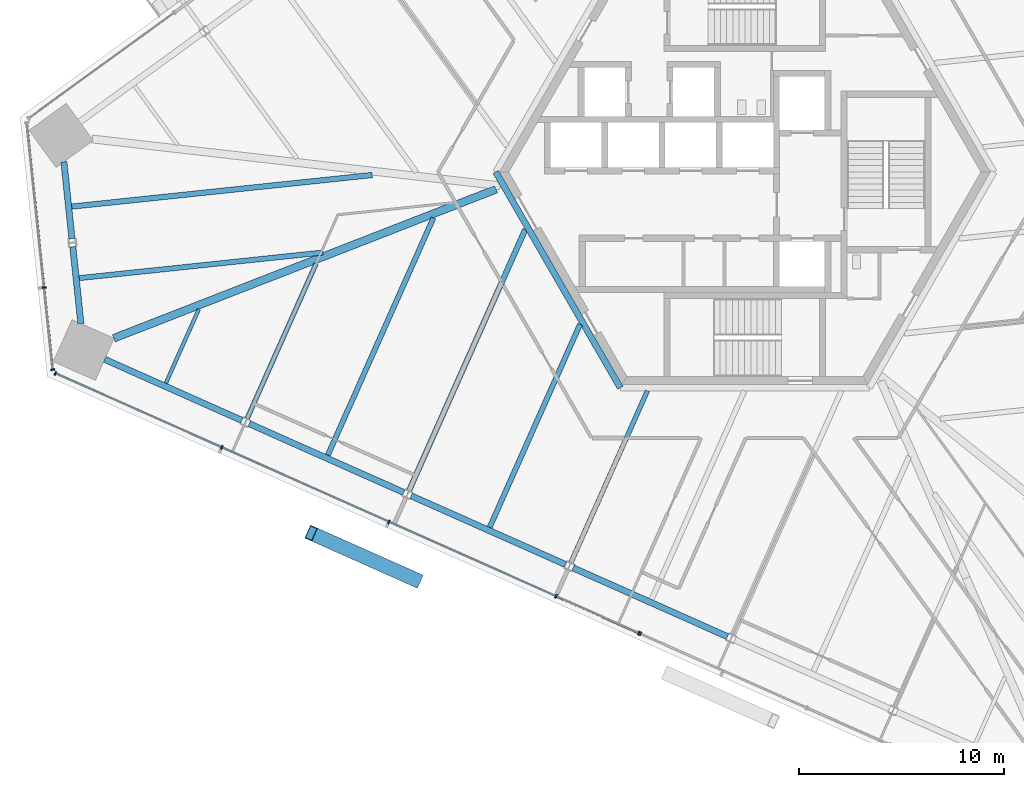
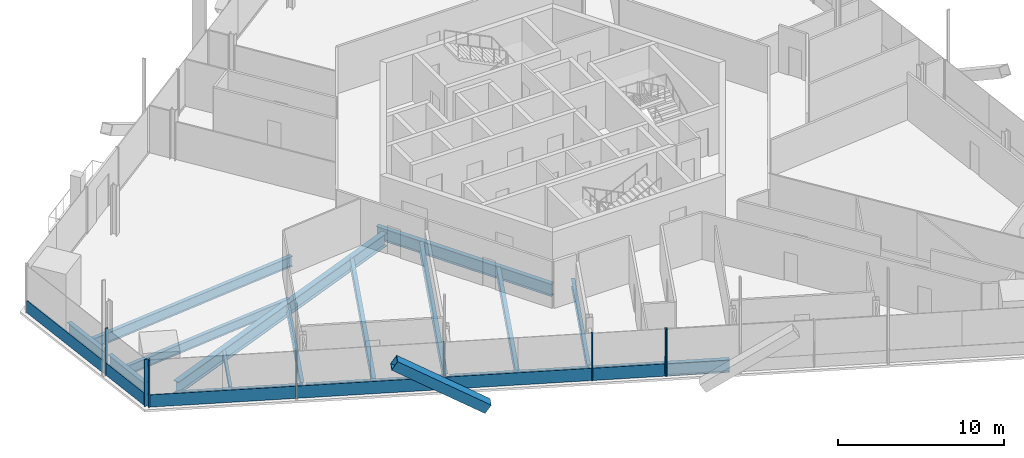
# One storey, part 3 of 21: 16 beams, 15 members, 3 elements without a shape of their own.
"""IFC4 building model written with IfcOpenShell, lengths in metres."""

from ifc_helpers import new_model, si_unit, direction, frame, origin, origin_2d, place, context, subcontext, project, spatial, rectangle, hollow_rectangle, i_section, extrude, source, transform, mapped, material, material_profile, profile_set, type_object, element, aggregate, save


model = new_model("IFC4")

# Units and contexts
model_context = context("Model", 3, precision=1e-05, world=origin(), true_north=direction((0.0, 1.0)))
body_context = subcontext(model_context, "Body", "Model", "MODEL_VIEW")
ifc_project = project(units=[si_unit("LENGTHUNIT", "METRE"), si_unit("AREAUNIT", "SQUARE_METRE"), si_unit("VOLUMEUNIT", "CUBIC_METRE"), si_unit("PLANEANGLEUNIT", "RADIAN"), si_unit("MASSUNIT", "GRAM", prefix="KILO")], contexts=[model_context])

# Site, building, storey
site_placement = place(None, origin())
site = spatial("IfcSite", under=ifc_project, at=site_placement, CompositionType="ELEMENT")
building_placement = place(site_placement, origin())
building = spatial("IfcBuilding", under=site, at=building_placement, Name="Triune Harvest Tower", CompositionType="ELEMENT")
storey_placement = place(building_placement, frame((0.0, 0.0, 80.10009765625)))
storey = spatial("IfcBuildingStorey", under=building, at=storey_placement, Name="L19", CompositionType="ELEMENT", Elevation=80.10009765625)

# Curtain wall, member
ifc_material_1 = material(Name="Aluminium bronze anodised", Category="aluminium")
curtain_wall_type_1 = type_object("IfcCurtainWallType", Name="CW-1 Tower stick curtain wall", PredefinedType="NOTDEFINED", material=ifc_material_1)
curtain_wall_1_placement = place(storey_placement, origin())
curtain_wall_1 = element("IfcCurtainWall", 1, at=curtain_wall_1_placement, inside=storey, type_object=curtain_wall_type_1, Name="CW-1 B2-F5 L19 run 1")
ifc_material_2 = material(Name="Aluminium bronze anodised", Category="aluminium")
ifc_material_profile_1 = material_profile(ifc_material_2, rectangle(XDim=0.090087890625, YDim=0.89990234375, at=origin_2d()), Name="TR-1 transom 90 x 900")
ifc_profile_set_1 = profile_set([ifc_material_profile_1], Name="Aluminium bronze anodised")
member_type_1 = type_object("IfcMemberType", Name="TR-1 transom 90 x 900", PredefinedType="USERDEFINED", material=ifc_profile_set_1)
member_1_placement = place(storey_placement, frame((-17.365966796875, -17.114013671875, 0.449951171875), z_axis=(0.913549060032, -0.40672855188, 0.0), x_axis=(0.40672855188, 0.913549060032, 0.0)))
member_1 = element("IfcMember", 2, at=member_1_placement, type_object=member_type_1, Name="CW-1 transom B2-F5 1.3", ObjectType="TRANSOM", PredefinedType="USERDEFINED", context=body_context, shape_type="SweptSolid", body=[
    extrude(rectangle(XDim=0.090087890625, YDim=0.89990234375, at=origin_2d()), origin(), (0.0, 0.0, 1.0), 8.866455078125),
])

# Beams
ifc_material_3 = material(Name="Steel ASTM A992 Gr 50", Category="steel")
ifc_material_profile_2 = material_profile(ifc_material_3, i_section(OverallWidth=0.3046875, OverallDepth=0.914306640625, WebThickness=0.0166015625, FlangeThickness=0.02587890625, at=origin_2d()), Name="W36x160")
ifc_profile_set_2 = profile_set([ifc_material_profile_2], Name="Steel ASTM A992 Gr 50")
beam_type_1 = type_object("IfcBeamType", Name="CG-1 Core ring girder W36x160", PredefinedType="BEAM", material=ifc_profile_set_2)
shared_shape_1 = source(origin(), body_context, "Body", "SweptSolid", [
    extrude(i_section(OverallWidth=0.3046875, OverallDepth=0.914306640625, WebThickness=0.0166015625, FlangeThickness=0.02587890625, at=origin_2d()), origin(), (0.0, 0.0, 1.0), 12.176025390625),
])
beam_1_placement = place(storey_placement, frame((-12.176025390625, 0.0, -0.6171875), z_axis=(0.5000099932, -0.866019634131, 0.0), x_axis=(0.866019634131, 0.5000099932, 0.0)))
element("IfcBeam", 3, at=beam_1_placement, inside=storey, type_object=beam_type_1, Name="beam/L19/CG4", PredefinedType="BEAM", context=body_context, shape_type="MappedRepresentation", body=[
    mapped(shared_shape_1, transform((0.0, 0.0, 0.0), scale=1.0)),
])
ifc_material_4 = material(Name="Steel ASTM A992 Gr 50", Category="steel")
ifc_material_profile_3 = material_profile(ifc_material_4, i_section(OverallWidth=0.3046875, OverallDepth=0.914306640625, WebThickness=0.0166015625, FlangeThickness=0.02587890625, at=origin_2d()), Name="W36x160")
ifc_profile_set_3 = profile_set([ifc_material_profile_3], Name="Steel ASTM A992 Gr 50")
beam_type_2 = type_object("IfcBeamType", Name="SB-1 Spandrel beam W36x160", PredefinedType="SPANDREL", material=ifc_profile_set_3)
shared_shape_2 = source(origin(), body_context, "Body", "SweptSolid", [
    extrude(i_section(OverallWidth=0.3046875, OverallDepth=0.914306640625, WebThickness=0.0166015625, FlangeThickness=0.02587890625, at=origin_2d()), origin(), (0.0, 0.0, 1.0), 7.337890625),
])
beam_2_placement = place(storey_placement, frame((-31.29150390625, -9.156982421875, -0.6171875), z_axis=(0.913558923036, -0.40670639796, 0.0), x_axis=(0.40670639796, 0.913558923036, 0.0)))
element("IfcBeam", 4, at=beam_2_placement, inside=storey, type_object=beam_type_2, Name="beam/L19/SB17", PredefinedType="SPANDREL", context=body_context, shape_type="MappedRepresentation", body=[
    mapped(shared_shape_2, transform((0.0, 0.0, 0.0), scale=1.0)),
])
shared_shape_3 = source(origin(), body_context, "Body", "SweptSolid", [
    extrude(i_section(OverallWidth=0.3046875, OverallDepth=0.914306640625, WebThickness=0.0166015625, FlangeThickness=0.02587890625, at=origin_2d()), origin(), (0.0, 0.0, 1.0), 8.263427734375),
])
for number, where, z_axis, x_axis, name in (
    (5, (-24.2236328125, -12.3037109375, -0.6171875), (0.913544537455, -0.406738709846, 0.0), (0.406738709846, 0.913544537455, 0.0), "beam/L19/SB18"),
    (6, (-16.310302734375, -15.826904296875, -0.6171875), (0.913544537455, -0.406738709846, 0.0), (0.406738709846, 0.913544537455, 0.0), "beam/L19/SB19"),
    (7, (-8.39697265625, -19.35009765625, -0.6171875), (0.913544537455, -0.406738709846, 0.0), (0.406738709846, 0.913544537455, 0.0), "beam/L19/SB20"),
):
    element("IfcBeam", number, at=place(storey_placement, frame(where, z_axis=z_axis, x_axis=x_axis)), inside=storey, type_object=beam_type_2, Name=name, PredefinedType="SPANDREL", context=body_context, shape_type="MappedRepresentation", body=[
        mapped(shared_shape_3, transform((0.0, 0.0, 0.0), scale=1.0)),
    ])
shared_shape_4 = source(origin(), body_context, "Body", "SweptSolid", [
    extrude(i_section(OverallWidth=0.3046875, OverallDepth=0.914306640625, WebThickness=0.0166015625, FlangeThickness=0.02587890625, at=origin_2d()), origin(), (0.0, 0.0, 1.0), 3.775146484375),
])
for number, where, z_axis, x_axis, name in (
    (8, (-33.28564453125, 0.497802734375, -0.6171875), (0.104509725916, -0.994523864565, 0.0), (0.994523864565, 0.104509725916, 0.0), "beam/L19/SB15"),
    (9, (-32.849609375, -3.653076171875, -0.6171875), (0.104573690763, -0.994517140727, 0.0), (0.994517140727, 0.104573690763, 0.0), "beam/L19/SB16"),
):
    element("IfcBeam", number, at=place(storey_placement, frame(where, z_axis=z_axis, x_axis=x_axis)), inside=storey, type_object=beam_type_2, Name=name, PredefinedType="SPANDREL", context=body_context, shape_type="MappedRepresentation", body=[
        mapped(shared_shape_4, transform((0.0, 0.0, 0.0), scale=1.0)),
    ])
ifc_material_5 = material(Name="Steel ASTM A992 Gr 50", Category="steel")
ifc_material_profile_4 = material_profile(ifc_material_5, i_section(OverallWidth=0.383544921875, OverallDepth=0.9423828125, WebThickness=0.022216796875, FlangeThickness=0.039794921875, at=origin_2d()), Name="W36x232")
ifc_profile_set_4 = profile_set([ifc_material_profile_4], Name="Steel ASTM A992 Gr 50")
beam_type_3 = type_object("IfcBeamType", Name="HG-1 Hip girder W36x232", PredefinedType="BEAM", material=ifc_profile_set_4)
shared_shape_5 = source(origin(), body_context, "Body", "SweptSolid", [
    extrude(i_section(OverallWidth=0.383544921875, OverallDepth=0.9423828125, WebThickness=0.022216796875, FlangeThickness=0.039794921875, at=origin_2d()), origin(), (0.0, 0.0, 1.0), 20.054443359375),
])
beam_3_placement = place(storey_placement, frame((-30.84423828125, -8.12451171875, -0.63134765625), z_axis=(0.931737115777, 0.363133511374, 0.0), x_axis=(-0.363133511374, 0.931737115777, 0.0)))
element("IfcBeam", 10, at=beam_3_placement, inside=storey, type_object=beam_type_3, Name="beam/L19/HG6", PredefinedType="BEAM", context=body_context, shape_type="MappedRepresentation", body=[
    mapped(shared_shape_5, transform((0.0, 0.0, 0.0), scale=1.0)),
])
ifc_material_6 = material(Name="Steel ASTM A992 Gr 50", Category="steel")
ifc_material_profile_5 = material_profile(ifc_material_6, i_section(OverallWidth=0.180908203125, OverallDepth=0.41650390625, WebThickness=0.010986328125, FlangeThickness=0.01806640625, at=origin_2d()), Name="W16x57")
ifc_profile_set_5 = profile_set([ifc_material_profile_5], Name="Steel ASTM A992 Gr 50")
beam_type_4 = type_object("IfcBeamType", Name="JT-1 Floor joist W16x57", PredefinedType="JOIST", material=ifc_profile_set_5)
shared_shape_6 = source(origin(), body_context, "Body", "SweptSolid", [
    extrude(i_section(OverallWidth=0.180908203125, OverallDepth=0.41650390625, WebThickness=0.010986328125, FlangeThickness=0.01806640625, at=origin_2d()), origin(), (0.0, 0.0, 1.0), 3.95068359375),
])
beam_4_placement = place(storey_placement, frame((-28.300537109375, -10.32177734375, -0.368408203125), z_axis=(0.406746150359, 0.913541224668, 0.0), x_axis=(-0.913541224668, 0.406746150359, 0.0)))
element("IfcBeam", 11, at=beam_4_placement, inside=storey, type_object=beam_type_4, Name="beam/L19/JT27", PredefinedType="JOIST", context=body_context, shape_type="MappedRepresentation", body=[
    mapped(shared_shape_6, transform((0.0, 0.0, 0.0), scale=1.0)),
])
ifc_material_7 = material(Name="Steel ASTM A992 Gr 50", Category="steel")
ifc_material_profile_6 = material_profile(ifc_material_7, i_section(OverallWidth=0.22900390625, OverallDepth=0.612060546875, WebThickness=0.011962890625, FlangeThickness=0.01953125, at=origin_2d()), Name="W24x84")
ifc_profile_set_6 = profile_set([ifc_material_profile_6], Name="Steel ASTM A992 Gr 50")
beam_type_5 = type_object("IfcBeamType", Name="JT-3 Floor joist W24x84", PredefinedType="JOIST", material=ifc_profile_set_6)
shared_shape_7 = source(origin(), body_context, "Body", "SweptSolid", [
    extrude(i_section(OverallWidth=0.22900390625, OverallDepth=0.612060546875, WebThickness=0.011962890625, FlangeThickness=0.01953125, at=origin_2d()), origin(), (0.0, 0.0, 1.0), 8.28173828125),
])
beam_5_placement = place(storey_placement, frame((-24.32568359375, -12.042724609375, -0.46630859375), z_axis=(0.406731926006, 0.913547557803, 0.0), x_axis=(-0.913547557803, 0.406731926006, 0.0)))
element("IfcBeam", 12, at=beam_5_placement, inside=storey, type_object=beam_type_5, Name="beam/L19/JT28", PredefinedType="JOIST", context=body_context, shape_type="MappedRepresentation", body=[
    mapped(shared_shape_7, transform((0.0, 0.0, 0.0), scale=1.0)),
])
ifc_material_8 = material(Name="Steel ASTM A992 Gr 50", Category="steel")
ifc_material_profile_7 = material_profile(ifc_material_8, i_section(OverallWidth=0.253662109375, OverallDepth=0.683349609375, WebThickness=0.012451171875, FlangeThickness=0.01904296875, at=origin_2d()), Name="W27x94")
ifc_profile_set_7 = profile_set([ifc_material_profile_7], Name="Steel ASTM A992 Gr 50")
beam_type_6 = type_object("IfcBeamType", Name="JT-4 Floor joist W27x94", PredefinedType="JOIST", material=ifc_profile_set_7)
shared_shape_8 = source(origin(), body_context, "Body", "SweptSolid", [
    extrude(i_section(OverallWidth=0.253662109375, OverallDepth=0.683349609375, WebThickness=0.012451171875, FlangeThickness=0.01904296875, at=origin_2d()), origin(), (0.0, 0.0, 1.0), 10.864501953125),
])
beam_6_placement = place(storey_placement, frame((-12.473876953125, -17.3681640625, -0.501708984375), z_axis=(0.406757614722, 0.913536120176, 0.0), x_axis=(-0.913536120176, 0.406757614722, 0.0)))
element("IfcBeam", 13, at=beam_6_placement, inside=storey, type_object=beam_type_6, Name="beam/L19/JT31", PredefinedType="JOIST", context=body_context, shape_type="MappedRepresentation", body=[
    mapped(shared_shape_8, transform((0.0, 0.0, 0.0), scale=1.0)),
])
shared_shape_9 = source(origin(), body_context, "Body", "SweptSolid", [
    extrude(i_section(OverallWidth=0.253662109375, OverallDepth=0.683349609375, WebThickness=0.012451171875, FlangeThickness=0.01904296875, at=origin_2d()), origin(), (0.0, 0.0, 1.0), 12.701904296875),
])
beam_7_placement = place(storey_placement, frame((-20.38720703125, -13.844970703125, -0.501708984375), z_axis=(0.406748285801, 0.913540273879, 0.0), x_axis=(-0.913540273879, 0.406748285801, 0.0)))
element("IfcBeam", 14, at=beam_7_placement, inside=storey, type_object=beam_type_6, Name="beam/L19/JT29", PredefinedType="JOIST", context=body_context, shape_type="MappedRepresentation", body=[
    mapped(shared_shape_9, transform((0.0, 0.0, 0.0), scale=1.0)),
])
ifc_material_9 = material(Name="Steel ASTM A992 Gr 50", Category="steel")
ifc_material_profile_8 = material_profile(ifc_material_9, i_section(OverallWidth=0.2666015625, OverallDepth=0.7568359375, WebThickness=0.013916015625, FlangeThickness=0.019287109375, at=origin_2d()), Name="W30x108")
ifc_profile_set_8 = profile_set([ifc_material_profile_8], Name="Steel ASTM A992 Gr 50")
beam_type_7 = type_object("IfcBeamType", Name="JT-5 Floor joist W30x108", PredefinedType="JOIST", material=ifc_profile_set_8)
shared_shape_10 = source(origin(), body_context, "Body", "SweptSolid", [
    extrude(i_section(OverallWidth=0.2666015625, OverallDepth=0.7568359375, WebThickness=0.013916015625, FlangeThickness=0.019287109375, at=origin_2d()), origin(), (0.0, 0.0, 1.0), 14.7666015625),
])
beam_8_placement = place(storey_placement, frame((-32.90234375, -1.690673828125, -0.53857421875), z_axis=(0.994522471236, 0.10452298411, 0.0), x_axis=(-0.10452298411, 0.994522471236, 0.0)))
element("IfcBeam", 15, at=beam_8_placement, inside=storey, type_object=beam_type_7, Name="beam/L19/JT25", PredefinedType="JOIST", context=body_context, shape_type="MappedRepresentation", body=[
    mapped(shared_shape_10, transform((0.0, 0.0, 0.0), scale=1.0)),
])
shared_shape_11 = source(origin(), body_context, "Body", "SweptSolid", [
    extrude(i_section(OverallWidth=0.253662109375, OverallDepth=0.683349609375, WebThickness=0.012451171875, FlangeThickness=0.01904296875, at=origin_2d()), origin(), (0.0, 0.0, 1.0), 11.9775390625),
])
beam_9_placement = place(storey_placement, frame((-32.534912109375, -5.18701171875, -0.501708984375), z_axis=(0.994522193593, 0.104525625807, 0.0), x_axis=(-0.104525625807, 0.994522193593, 0.0)))
element("IfcBeam", 16, at=beam_9_placement, inside=storey, type_object=beam_type_6, Name="beam/L19/JT26", PredefinedType="JOIST", context=body_context, shape_type="MappedRepresentation", body=[
    mapped(shared_shape_11, transform((0.0, 0.0, 0.0), scale=1.0)),
])
shared_shape_12 = source(origin(), body_context, "Body", "SweptSolid", [
    extrude(i_section(OverallWidth=0.2666015625, OverallDepth=0.7568359375, WebThickness=0.013916015625, FlangeThickness=0.019287109375, at=origin_2d()), origin(), (0.0, 0.0, 1.0), 13.966796875),
])
beam_10_placement = place(storey_placement, frame((-16.412353515625, -15.56591796875, -0.53857421875), z_axis=(0.406743331023, 0.913542479948, 0.0), x_axis=(-0.913542479948, 0.406743331023, 0.0)))
element("IfcBeam", 17, at=beam_10_placement, inside=storey, type_object=beam_type_7, Name="beam/L19/JT30", PredefinedType="JOIST", context=body_context, shape_type="MappedRepresentation", body=[
    mapped(shared_shape_12, transform((0.0, 0.0, 0.0), scale=1.0)),
])
shared_shape_13 = source(origin(), body_context, "Body", "SweptSolid", [
    extrude(i_section(OverallWidth=0.22900390625, OverallDepth=0.612060546875, WebThickness=0.011962890625, FlangeThickness=0.01953125, at=origin_2d()), origin(), (0.0, 0.0, 1.0), 9.1865234375),
])
beam_11_placement = place(storey_placement, frame((-8.4990234375, -19.08935546875, -0.46630859375), z_axis=(0.406720317643, 0.913552726019, 0.0), x_axis=(-0.913552726019, 0.406720317643, 0.0)))
element("IfcBeam", 18, at=beam_11_placement, inside=storey, type_object=beam_type_5, Name="beam/L19/JT32", PredefinedType="JOIST", context=body_context, shape_type="MappedRepresentation", body=[
    mapped(shared_shape_13, transform((0.0, 0.0, 0.0), scale=1.0)),
])

# Member
ifc_material_10 = material(Name="Steel ASTM A572 Gr 50", Category="steel")
ifc_material_profile_9 = material_profile(ifc_material_10, hollow_rectangle(XDim=0.699951171875, YDim=0.699951171875, WallThickness=0.0400390625, at=origin_2d()), Name="Box 700x700x40")
ifc_profile_set_9 = profile_set([ifc_material_profile_9], Name="Steel ASTM A572 Gr 50")
member_type_2 = type_object("IfcMemberType", Name="BR-1 Brace Box 700x700x40", PredefinedType="BRACE", material=ifc_profile_set_9)
shared_shape_14 = source(origin(), body_context, "Body", "SweptSolid", [
    extrude(hollow_rectangle(XDim=0.699951171875, YDim=0.699951171875, WallThickness=0.0400390625, at=origin_2d()), origin(), (0.0, 0.0, 1.0), 6.7021484375),
])
member_2_placement = place(storey_placement, frame((-16.03662109375, -19.949951171875, 0.0), z_axis=(-0.770584874927, 0.343073099747, 0.537121772752), x_axis=(-0.406723393916, -0.913551356434, 0.0)))
element("IfcMember", 19, at=member_2_placement, inside=storey, type_object=member_type_2, Name="brace/B2-F5/d2/7", PredefinedType="BRACE", context=body_context, shape_type="MappedRepresentation", body=[
    mapped(shared_shape_14, transform((0.0, 0.0, 0.0), scale=1.0)),
])

# Curtain wall, members
curtain_wall_2_placement = place(storey_placement, origin())
curtain_wall_2 = element("IfcCurtainWall", 20, at=curtain_wall_2_placement, inside=storey, type_object=curtain_wall_type_1, Name="CW-1 B2-F4 L19 run 1")
ifc_material_11 = material(Name="Aluminium bronze anodised", Category="aluminium")
ifc_material_profile_10 = material_profile(ifc_material_11, rectangle(XDim=0.199951171875, YDim=0.074951171875, at=origin_2d()), Name="MU-1 mullion 75 x 200")
ifc_profile_set_10 = profile_set([ifc_material_profile_10], Name="Aluminium bronze anodised")
member_type_3 = type_object("IfcMemberType", Name="MU-1 mullion 75 x 200", PredefinedType="MULLION", material=ifc_profile_set_10)
shared_shape_15 = source(origin(), body_context, "Body", "SweptSolid", [
    extrude(rectangle(XDim=0.199951171875, YDim=0.074951171875, at=origin_2d()), origin(), (0.0, 0.0, 1.0), 3.43994140625),
])
member_3_placement = place(storey_placement, frame((-34.25390625, -5.648193359375, 0.0), z_axis=(0.0, 0.0, 1.0), x_axis=(0.994521790334, 0.104529462601, 0.0)))
member_3 = element("IfcMember", 21, at=member_3_placement, type_object=member_type_3, Name="CW-1 mullion B2-F4 1.3", PredefinedType="MULLION", context=body_context, shape_type="MappedRepresentation", body=[
    mapped(shared_shape_15, transform((0.0, 0.0, 0.0), scale=1.0)),
])
member_4_placement = place(storey_placement, frame((-33.83203125, -9.662109375, 0.0), z_axis=(0.0, 0.0, 1.0), x_axis=(0.994521790334, 0.104529462601, 0.0)))
member_4 = element("IfcMember", 22, at=member_4_placement, type_object=member_type_3, Name="CW-1 mullion B2-F4 1.4", PredefinedType="MULLION", context=body_context, shape_type="MappedRepresentation", body=[
    mapped(shared_shape_15, transform((0.0, 0.0, 0.0), scale=1.0)),
])

# Member
member_5_placement = place(storey_placement, frame((-33.7021484375, -9.840576171875, 0.0), z_axis=(0.0, 0.0, 1.0), x_axis=(0.40673615961, 0.913545672895, 0.0)))
member_5 = element("IfcMember", 23, at=member_5_placement, type_object=member_type_3, Name="CW-1 mullion B2-F5 1.1", PredefinedType="MULLION", context=body_context, shape_type="MappedRepresentation", body=[
    mapped(shared_shape_15, transform((0.0, 0.0, 0.0), scale=1.0)),
])

member_6_placement = place(storey_placement, frame((-25.568359375, -13.462158203125, 0.0), z_axis=(0.0, 0.0, 1.0), x_axis=(0.40673615961, 0.913545672895, 0.0)))
member_6 = element("IfcMember", 24, at=member_6_placement, type_object=member_type_3, Name="CW-1 mullion B2-F5 1.3", PredefinedType="MULLION", context=body_context, shape_type="MappedRepresentation", body=[
    mapped(shared_shape_15, transform((0.0, 0.0, 0.0), scale=1.0)),
])

member_7_placement = place(storey_placement, frame((-17.400146484375, -17.098876953125, 0.0), z_axis=(0.0, 0.0, 1.0), x_axis=(0.40673615961, 0.913545672895, 0.0)))
member_7 = element("IfcMember", 25, at=member_7_placement, type_object=member_type_3, Name="CW-1 mullion B2-F5 1.5", PredefinedType="MULLION", context=body_context, shape_type="MappedRepresentation", body=[
    mapped(shared_shape_15, transform((0.0, 0.0, 0.0), scale=1.0)),
])

member_8_placement = place(storey_placement, frame((-9.23193359375, -20.7353515625, 0.0), z_axis=(0.0, 0.0, 1.0), x_axis=(0.40673615961, 0.913545672895, 0.0)))
member_8 = element("IfcMember", 26, at=member_8_placement, type_object=member_type_3, Name="CW-1 mullion B2-F5 1.7", PredefinedType="MULLION", context=body_context, shape_type="MappedRepresentation", body=[
    mapped(shared_shape_15, transform((0.0, 0.0, 0.0), scale=1.0)),
])

member_9_placement = place(storey_placement, frame((-5.18212890625, -22.53857421875, 0.0), z_axis=(0.0, 0.0, 1.0), x_axis=(0.40673615961, 0.913545672895, 0.0)))
member_9 = element("IfcMember", 27, at=member_9_placement, type_object=member_type_3, Name="CW-1 mullion B2-F5 1.8", PredefinedType="MULLION", context=body_context, shape_type="MappedRepresentation", body=[
    mapped(shared_shape_15, transform((0.0, 0.0, 0.0), scale=1.0)),
])

# Curtain wall, member
ifc_material_12 = material(Name="Aluminium bronze anodised", Category="aluminium")
curtain_wall_type_2 = type_object("IfcCurtainWallType", Name="CW-7 Tower stick curtain wall with insulated spandrel infill", PredefinedType="NOTDEFINED", material=ifc_material_12)
curtain_wall_3_placement = place(storey_placement, origin())
curtain_wall_3 = element("IfcCurtainWall", 28, at=curtain_wall_3_placement, inside=storey, type_object=curtain_wall_type_2, Name="CW-7 B2-F5 L19 run 1001")
member_10_placement = place(storey_placement, frame((-5.113525390625, -22.569091796875, 0.0), z_axis=(0.0, 0.0, 1.0), x_axis=(0.406740943046, 0.91354354316, 0.0)))
member_10 = element("IfcMember", 29, at=member_10_placement, type_object=member_type_3, Name="CW-7 mullion B2-F5 1001.1", PredefinedType="MULLION", context=body_context, shape_type="MappedRepresentation", body=[
    mapped(shared_shape_15, transform((0.0, 0.0, 0.0), scale=1.0)),
])
aggregate(curtain_wall_3, [member_10])

# Member
shared_shape_16 = source(origin(), body_context, "Body", "SweptSolid", [
    extrude(rectangle(XDim=0.090087890625, YDim=0.89990234375, at=origin_2d()), origin(), (0.0, 0.0, 1.0), 8.0341796875),
])
member_11_placement = place(storey_placement, frame((-35.09765625, 2.37939453125, 0.449951171875), z_axis=(0.104532929154, -0.994521425975, 0.0), x_axis=(0.994521425975, 0.104532929154, 0.0)))
member_11 = element("IfcMember", 30, at=member_11_placement, type_object=member_type_1, Name="CW-1 transom B2-F4 1.1", ObjectType="TRANSOM", PredefinedType="USERDEFINED", context=body_context, shape_type="MappedRepresentation", body=[
    mapped(shared_shape_16, transform((0.0, 0.0, 0.0), scale=1.0)),
])

shared_shape_17 = source(origin(), body_context, "Body", "SweptSolid", [
    extrude(rectangle(XDim=0.090087890625, YDim=0.89990234375, at=origin_2d()), origin(), (0.0, 0.0, 1.0), 3.9609375),
])
member_12_placement = place(storey_placement, frame((-34.25, -5.685546875, 0.449951171875), z_axis=(0.104537191117, -0.994520977996, 0.0), x_axis=(0.994520977996, 0.104537191117, 0.0)))
member_12 = element("IfcMember", 31, at=member_12_placement, type_object=member_type_1, Name="CW-1 transom B2-F4 1.2", ObjectType="TRANSOM", PredefinedType="USERDEFINED", context=body_context, shape_type="MappedRepresentation", body=[
    mapped(shared_shape_17, transform((0.0, 0.0, 0.0), scale=1.0)),
])

aggregate(curtain_wall_2, [member_3, member_4, member_11, member_12])

shared_shape_18 = source(origin(), body_context, "Body", "SweptSolid", [
    extrude(rectangle(XDim=0.090087890625, YDim=0.89990234375, at=origin_2d()), origin(), (0.0, 0.0, 1.0), 8.82861328125),
])
member_13_placement = place(storey_placement, frame((-33.66796875, -9.85595703125, 0.449951171875), z_axis=(0.913551364205, -0.40672337646, 0.0), x_axis=(0.40672337646, 0.913551364205, 0.0)))
member_13 = element("IfcMember", 32, at=member_13_placement, type_object=member_type_1, Name="CW-1 transom B2-F5 1.1", ObjectType="TRANSOM", PredefinedType="USERDEFINED", context=body_context, shape_type="MappedRepresentation", body=[
    mapped(shared_shape_18, transform((0.0, 0.0, 0.0), scale=1.0)),
])

shared_shape_19 = source(origin(), body_context, "Body", "SweptSolid", [
    extrude(rectangle(XDim=0.090087890625, YDim=0.89990234375, at=origin_2d()), origin(), (0.0, 0.0, 1.0), 8.8662109375),
])
member_14_placement = place(storey_placement, frame((-25.533935546875, -13.477294921875, 0.449951171875), z_axis=(0.913544504695, -0.406738783423, 0.0), x_axis=(0.406738783423, 0.913544504695, 0.0)))
member_14 = element("IfcMember", 33, at=member_14_placement, type_object=member_type_1, Name="CW-1 transom B2-F5 1.2", ObjectType="TRANSOM", PredefinedType="USERDEFINED", context=body_context, shape_type="MappedRepresentation", body=[
    mapped(shared_shape_19, transform((0.0, 0.0, 0.0), scale=1.0)),
])

shared_shape_20 = source(origin(), body_context, "Body", "SweptSolid", [
    extrude(rectangle(XDim=0.090087890625, YDim=0.89990234375, at=origin_2d()), origin(), (0.0, 0.0, 1.0), 4.358154296875),
])
member_15_placement = place(storey_placement, frame((-9.19775390625, -20.750732421875, 0.449951171875), z_axis=(0.913561888422, -0.406699736935, 0.0), x_axis=(0.406699736935, 0.913561888422, 0.0)))
member_15 = element("IfcMember", 34, at=member_15_placement, type_object=member_type_1, Name="CW-1 transom B2-F5 1.4", ObjectType="TRANSOM", PredefinedType="USERDEFINED", context=body_context, shape_type="MappedRepresentation", body=[
    mapped(shared_shape_20, transform((0.0, 0.0, 0.0), scale=1.0)),
])

aggregate(curtain_wall_1, [member_5, member_6, member_7, member_8, member_9, member_13, member_14, member_1, member_15])

save(model, "model.ifc")
